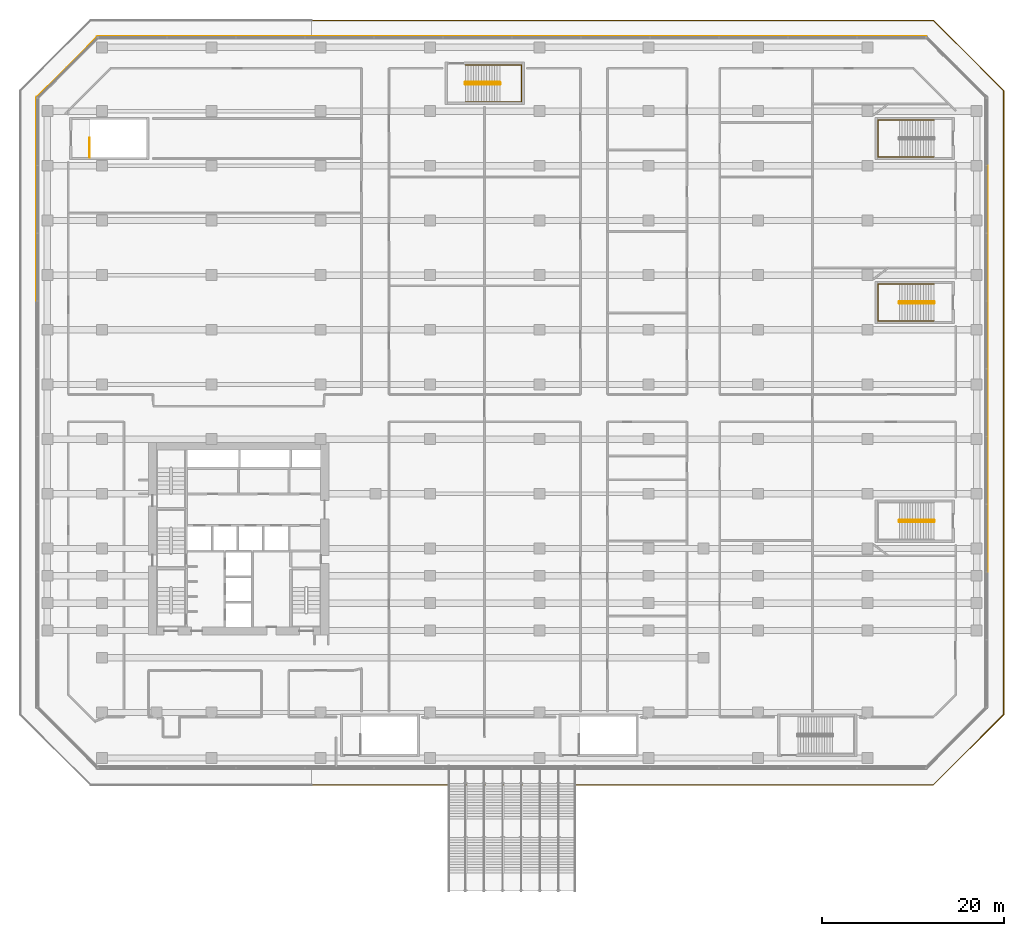
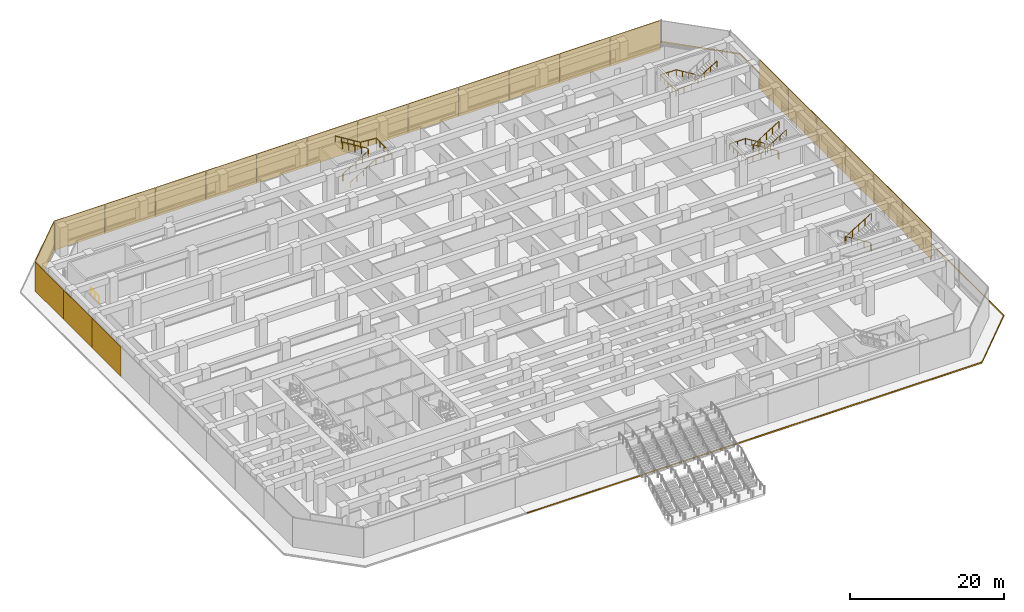
# One storey, part 39 of 40: 23 coverings, 7 railings.
"""IFC4 building model written with IfcOpenShell, lengths in metres."""

from ifc_helpers import new_model, si_unit, direction, frame, origin, origin_2d, place, context, subcontext, project, spatial, polyline, rectangle, circle, outline, extrude, material, layer, layer_set, type_object, element, save


model = new_model("IFC4")

# Units and contexts
model_context = context("Model", 3, precision=1e-05, world=origin(), true_north=direction((0.0, 1.0)))
body_context = subcontext(model_context, "Body", "Model", "MODEL_VIEW")
ifc_project = project(units=[si_unit("LENGTHUNIT", "METRE"), si_unit("AREAUNIT", "SQUARE_METRE"), si_unit("VOLUMEUNIT", "CUBIC_METRE"), si_unit("PLANEANGLEUNIT", "RADIAN"), si_unit("MASSUNIT", "GRAM", prefix="KILO")], contexts=[model_context])

# Site, building, storey
site_placement = place(None, origin())
site = spatial("IfcSite", under=ifc_project, at=site_placement, CompositionType="ELEMENT")
building_placement = place(site_placement, origin())
building = spatial("IfcBuilding", under=site, at=building_placement, Name="Welwitschia Terrace Campus", CompositionType="ELEMENT")
storey_placement = place(building_placement, frame((0.0, 0.0, 6.0)))
storey = spatial("IfcBuildingStorey", under=building, at=storey_placement, Name="L01", CompositionType="ELEMENT", Elevation=6.0)

# Coverings
ifc_material_1 = material(Name="Bronze mesh aluminium screen", Category="aluminium")
ifc_layer_1 = layer(ifc_material_1, 0.06005859375)
ifc_layer_set_1 = layer_set([ifc_layer_1], Name="Bronze mesh aluminium screen")
covering_type_1 = type_object("IfcCoveringType", Name="Bronze screen 60", PredefinedType="USERDEFINED", material=ifc_layer_set_1)
for number, where, z_axis, x_axis, name in (
    (1, (97.18994140625, 15.133544921875, 0.0), (0.0, 0.0, 1.0), (0.0, 1.0, 0.0), "Screen L01.2.2"),
    (2, (97.18994140625, 22.56689453125, 0.0), (0.0, 0.0, 1.0), (0.0, 1.0, 0.0), "Screen L01.2.3"),
    (3, (97.18994140625, 30.0, 0.0), (0.0, 0.0, 1.0), (0.0, 1.0, 0.0), "Screen L01.2.4"),
    (4, (97.18994140625, 37.43310546875, 0.0), (0.0, 0.0, 1.0), (0.0, 1.0, 0.0), "Screen L01.2.5"),
    (5, (97.18994140625, 44.866455078125, 0.0), (0.0, 0.0, 1.0), (0.0, 1.0, 0.0), "Screen L01.2.6"),
    (6, (97.18994140625, 52.299560546875, 0.0), (0.0, 0.0, 1.0), (0.0, 1.0, 0.0), "Screen L01.2.7"),
):
    element("IfcCovering", number, at=place(storey_placement, frame(where, z_axis=z_axis, x_axis=x_axis)), inside=storey, type_object=covering_type_1, Name=name, ObjectType="SCREEN", PredefinedType="USERDEFINED", context=body_context, shape_type="SweptSolid", body=[
        extrude(rectangle(XDim=7.4130859375, YDim=0.06005859375, at=origin_2d()), origin(), (0.0, 0.0, 1.0), 4.64990234375),
    ])
for number, where, z_axis, x_axis, name in (
    (7, (86.662109375, 70.18994140625, 0.0), (0.0, 0.0, 1.0), (-1.0, 0.0, 0.0), "Screen L01.4.0"),
    (8, (79.087158203125, 70.18994140625, 0.0), (0.0, 0.0, 1.0), (-1.0, 0.0, 0.0), "Screen L01.4.1"),
    (9, (71.51220703125, 70.18994140625, 0.0), (0.0, 0.0, 1.0), (-1.0, 0.0, 0.0), "Screen L01.4.2"),
    (10, (63.937255859375, 70.18994140625, 0.0), (0.0, 0.0, 1.0), (-1.0, 0.0, 0.0), "Screen L01.4.3"),
    (11, (56.3623046875, 70.18994140625, 0.0), (0.0, 0.0, 1.0), (-1.0, 0.0, 0.0), "Screen L01.4.4"),
    (12, (48.78759765625, 70.18994140625, 0.0), (0.0, 0.0, 1.0), (-1.0, 0.0, 0.0), "Screen L01.4.5"),
    (13, (41.21240234375, 70.18994140625, 0.0), (0.0, 0.0, 1.0), (-1.0, 0.0, 0.0), "Screen L01.4.6"),
    (14, (33.6376953125, 70.18994140625, 0.0), (0.0, 0.0, 1.0), (-1.0, 0.0, 0.0), "Screen L01.4.7"),
    (15, (26.062744140625, 70.18994140625, 0.0), (0.0, 0.0, 1.0), (-1.0, 0.0, 0.0), "Screen L01.4.8"),
    (16, (18.48779296875, 70.18994140625, 0.0), (0.0, 0.0, 1.0), (-1.0, 0.0, 0.0), "Screen L01.4.9"),
    (17, (10.912841796875, 70.18994140625, 0.0), (0.0, 0.0, 1.0), (-1.0, 0.0, 0.0), "Screen L01.4.10"),
    (18, (3.337890625, 70.18994140625, 0.0), (0.0, 0.0, 1.0), (-1.0, 0.0, 0.0), "Screen L01.4.11"),
):
    element("IfcCovering", number, at=place(storey_placement, frame(where, z_axis=z_axis, x_axis=x_axis)), inside=storey, type_object=covering_type_1, Name=name, ObjectType="SCREEN", PredefinedType="USERDEFINED", context=body_context, shape_type="SweptSolid", body=[
        extrude(rectangle(XDim=7.554931640625, YDim=0.06005859375, at=origin_2d()), origin(), (0.0, 0.0, 1.0), 4.64990234375),
    ])
covering_1_placement = place(storey_placement, frame((-3.841552734375, 66.841552734375, 0.0), z_axis=(0.0, 0.0, 1.0), x_axis=(-0.707106781187, -0.707106781187, 0.0)))
element("IfcCovering", 19, at=covering_1_placement, inside=storey, type_object=covering_type_1, Name="Screen L01.5.0", ObjectType="SCREEN", PredefinedType="USERDEFINED", context=body_context, shape_type="SweptSolid", body=[
    extrude(rectangle(XDim=9.364013671875, YDim=0.06005859375, at=origin_2d()), origin(), (0.0, 0.0, 1.0), 4.64990234375),
])
for number, where, z_axis, x_axis, name in (
    (20, (-7.18994140625, 59.73291015625, 0.0), (0.0, 0.0, 1.0), (0.0, -1.0, 0.0), "Screen L01.6.0"),
    (21, (-7.18994140625, 52.299560546875, 0.0), (0.0, 0.0, 1.0), (0.0, -1.0, 0.0), "Screen L01.6.1"),
    (22, (-7.18994140625, 44.866455078125, 0.0), (0.0, 0.0, 1.0), (0.0, -1.0, 0.0), "Screen L01.6.2"),
):
    element("IfcCovering", number, at=place(storey_placement, frame(where, z_axis=z_axis, x_axis=x_axis)), inside=storey, type_object=covering_type_1, Name=name, ObjectType="SCREEN", PredefinedType="USERDEFINED", context=body_context, shape_type="SweptSolid", body=[
        extrude(rectangle(XDim=7.4130859375, YDim=0.06005859375, at=origin_2d()), origin(), (0.0, 0.0, 1.0), 4.64990234375),
    ])

# Railings
ifc_material_2 = material(Name="Steel S355", Category="steel")
railing_type_1 = type_object("IfcRailingType", Name="Stair guard 1100", PredefinedType="GUARDRAIL", material=ifc_material_2)
railing_1_placement = place(storey_placement, frame((-1.35009765625, 56.925048828125, 0.0)))
element("IfcRailing", 23, at=railing_1_placement, inside=storey, type_object=railing_type_1, Name="L01 P4 top well guard 1", PredefinedType="GUARDRAIL", context=body_context, shape_type="SweptSolid", body=[
    extrude(circle(Radius=0.02392578125, at=origin_2d()), frame((0.0, 0.0, 1.076171875), z_axis=(0.0, 1.0, 0.0), x_axis=(-1.0, 0.0, 0.0)), (0.0, 0.0, 1.0), 2.14990234375),
    extrude(circle(Radius=0.02099609375, at=origin_2d()), origin(), (0.0, 0.0, 1.0), 1.052001953125),
    extrude(circle(Radius=0.02099609375, at=origin_2d()), frame((0.0, 1.074951171875, 0.0)), (0.0, 0.0, 1.0), 1.052001953125),
    extrude(circle(Radius=0.02099609375, at=origin_2d()), frame((0.0, 2.14990234375, 0.0)), (0.0, 0.0, 1.0), 1.052001953125),
])
railing_2_placement = place(storey_placement, frame((91.35009765625, 16.925048828125, 0.0)))
element("IfcRailing", 24, at=railing_2_placement, inside=storey, type_object=railing_type_1, Name="L01 P6 stair guard", PredefinedType="GUARDRAIL", context=body_context, shape_type="SweptSolid", body=[
    extrude(circle(Radius=0.02392578125, at=origin_2d()), frame((0.0, 0.0, 1.076171875), z_axis=(0.0, 1.0, 0.0), x_axis=(-1.0, 0.0, 0.0)), (0.0, 0.0, 1.0), 0.14990234375),
    extrude(circle(Radius=0.02392578125, at=origin_2d()), frame((0.0, 0.14990234375, 1.076171875), z_axis=(-0.260684529273, 0.260684529273, 0.929562882432), x_axis=(-0.707106781187, -0.707106781187, 0.0)), (0.0, 0.0, 1.0), 0.19189453125),
    extrude(circle(Radius=0.02392578125, at=origin_2d()), frame((-0.050048828125, 0.199951171875, 1.25439453125), z_axis=(-0.851504923564, 0.0, 0.524346607834), x_axis=(0.0, -1.0, 0.0)), (0.0, 0.0, 1.0), 4.427490234375),
    extrude(circle(Radius=0.02392578125, at=origin_2d()), frame((-3.820068359375, 0.199951171875, 3.576171875), z_axis=(-0.707106781187, -0.707106781187, 0.0), x_axis=(0.707106781187, -0.707106781187, 0.0)), (0.0, 0.0, 1.0), 0.07080078125),
    extrude(circle(Radius=0.02392578125, at=origin_2d()), frame((-3.8701171875, 0.14990234375, 3.576171875), z_axis=(0.0, -1.0, 0.0), x_axis=(1.0, 0.0, 0.0)), (0.0, 0.0, 1.0), 0.14990234375),
    extrude(circle(Radius=0.02392578125, at=origin_2d()), frame((-3.8701171875, 0.0, 3.576171875), z_axis=(0.260684529273, -0.260684529273, 0.929562882432), x_axis=(0.707106781187, 0.707106781187, 0.0)), (0.0, 0.0, 1.0), 0.19189453125),
    extrude(circle(Radius=0.02392578125, at=origin_2d()), frame((-3.820068359375, -0.050048828125, 3.75439453125), z_axis=(0.851504923564, 0.0, 0.524346607834), x_axis=(0.0, 1.0, 0.0)), (0.0, 0.0, 1.0), 4.427490234375),
    extrude(circle(Radius=0.02099609375, at=origin_2d()), origin(), (0.0, 0.0, 1.0), 1.052001953125),
    extrude(circle(Radius=0.02099609375, at=origin_2d()), frame((0.0, 0.14990234375, 0.0)), (0.0, 0.0, 1.0), 1.052001953125),
    extrude(circle(Radius=0.02099609375, at=origin_2d()), frame((-0.050048828125, 0.199951171875, 0.178466796875)), (0.0, 0.0, 1.0), 1.052001953125),
    extrude(circle(Radius=0.02099609375, at=origin_2d()), frame((-0.99267578125, 0.199951171875, 0.7587890625)), (0.0, 0.0, 1.0), 1.052001953125),
    extrude(circle(Radius=0.02099609375, at=origin_2d()), frame((-1.93505859375, 0.199951171875, 1.33935546875)), (0.0, 0.0, 1.0), 1.052001953125),
    extrude(circle(Radius=0.02099609375, at=origin_2d()), frame((-2.87744140625, 0.199951171875, 1.919677734375)), (0.0, 0.0, 1.0), 1.052001953125),
    extrude(circle(Radius=0.02099609375, at=origin_2d()), frame((-3.820068359375, 0.199951171875, 2.5)), (0.0, 0.0, 1.0), 1.052001953125),
    extrude(circle(Radius=0.02099609375, at=origin_2d()), frame((-3.8701171875, 0.14990234375, 2.5)), (0.0, 0.0, 1.0), 1.052001953125),
    extrude(circle(Radius=0.02099609375, at=origin_2d()), frame((-3.8701171875, 0.0, 2.5)), (0.0, 0.0, 1.0), 1.052001953125),
    extrude(circle(Radius=0.02099609375, at=origin_2d()), frame((-3.820068359375, -0.050048828125, 2.678466796875)), (0.0, 0.0, 1.0), 1.052001953125),
    extrude(circle(Radius=0.02099609375, at=origin_2d()), frame((-2.87744140625, -0.050048828125, 3.2587890625)), (0.0, 0.0, 1.0), 1.052001953125),
    extrude(circle(Radius=0.02099609375, at=origin_2d()), frame((-1.93505859375, -0.050048828125, 3.83935546875)), (0.0, 0.0, 1.0), 1.052001953125),
    extrude(circle(Radius=0.02099609375, at=origin_2d()), frame((-0.99267578125, -0.050048828125, 4.419677734375)), (0.0, 0.0, 1.0), 1.052001953125),
    extrude(circle(Radius=0.02099609375, at=origin_2d()), frame((-0.050048828125, -0.050048828125, 5.0)), (0.0, 0.0, 1.0), 1.052001953125),
])
railing_3_placement = place(storey_placement, frame((39.85009765625, 65.125, 0.0)))
element("IfcRailing", 25, at=railing_3_placement, inside=storey, type_object=railing_type_1, Name="L01 P7 stair guard", PredefinedType="GUARDRAIL", context=body_context, shape_type="SweptSolid", body=[
    extrude(circle(Radius=0.02392578125, at=origin_2d()), frame((0.0, 0.0, 1.076171875), z_axis=(0.0, -1.0, 0.0), x_axis=(1.0, 0.0, 0.0)), (0.0, 0.0, 1.0), 0.14990234375),
    extrude(circle(Radius=0.02392578125, at=origin_2d()), frame((0.0, -0.14990234375, 1.076171875), z_axis=(0.25949872427, -0.26077077684, 0.929870428634), x_axis=(0.708833529934, 0.705375805398, 0.0)), (0.0, 0.0, 1.0), 0.19189453125),
    extrude(circle(Radius=0.02392578125, at=origin_2d()), frame((0.0498046875, -0.199951171875, 1.25439453125), z_axis=(0.851504923564, 0.0, 0.524346607834), x_axis=(0.0, 1.0, 0.0)), (0.0, 0.0, 1.0), 4.427490234375),
    extrude(circle(Radius=0.02392578125, at=origin_2d()), frame((3.81982421875, -0.199951171875, 3.576171875), z_axis=(0.707106781187, 0.707106781187, 0.0), x_axis=(-0.707106781187, 0.707106781187, 0.0)), (0.0, 0.0, 1.0), 0.07080078125),
    extrude(circle(Radius=0.02392578125, at=origin_2d()), frame((3.869873046875, -0.14990234375, 3.576171875), z_axis=(0.0, 1.0, 0.0), x_axis=(-1.0, 0.0, 0.0)), (0.0, 0.0, 1.0), 0.14990234375),
    extrude(circle(Radius=0.02392578125, at=origin_2d()), frame((3.869873046875, 0.0, 3.576171875), z_axis=(-0.260684529273, 0.260684529273, 0.929562882432), x_axis=(-0.707106781187, -0.707106781187, 0.0)), (0.0, 0.0, 1.0), 0.19189453125),
    extrude(circle(Radius=0.02392578125, at=origin_2d()), frame((3.81982421875, 0.050048828125, 3.75439453125), z_axis=(-0.851504923564, 0.0, 0.524346607834), x_axis=(0.0, -1.0, 0.0)), (0.0, 0.0, 1.0), 4.427490234375),
    extrude(circle(Radius=0.02099609375, at=origin_2d()), origin(), (0.0, 0.0, 1.0), 1.052001953125),
    extrude(circle(Radius=0.02099609375, at=origin_2d()), frame((0.0, -0.14990234375, 0.0)), (0.0, 0.0, 1.0), 1.052001953125),
    extrude(circle(Radius=0.02099609375, at=origin_2d()), frame((0.0498046875, -0.199951171875, 0.178466796875)), (0.0, 0.0, 1.0), 1.052001953125),
    extrude(circle(Radius=0.02099609375, at=origin_2d()), frame((0.9921875, -0.199951171875, 0.7587890625)), (0.0, 0.0, 1.0), 1.052001953125),
    extrude(circle(Radius=0.02099609375, at=origin_2d()), frame((1.934814453125, -0.199951171875, 1.33935546875)), (0.0, 0.0, 1.0), 1.052001953125),
    extrude(circle(Radius=0.02099609375, at=origin_2d()), frame((2.87744140625, -0.199951171875, 1.919677734375)), (0.0, 0.0, 1.0), 1.052001953125),
    extrude(circle(Radius=0.02099609375, at=origin_2d()), frame((3.81982421875, -0.199951171875, 2.5)), (0.0, 0.0, 1.0), 1.052001953125),
    extrude(circle(Radius=0.02099609375, at=origin_2d()), frame((3.869873046875, -0.14990234375, 2.5)), (0.0, 0.0, 1.0), 1.052001953125),
    extrude(circle(Radius=0.02099609375, at=origin_2d()), frame((3.869873046875, 0.0, 2.5)), (0.0, 0.0, 1.0), 1.052001953125),
    extrude(circle(Radius=0.02099609375, at=origin_2d()), frame((3.81982421875, 0.050048828125, 2.678466796875)), (0.0, 0.0, 1.0), 1.052001953125),
    extrude(circle(Radius=0.02099609375, at=origin_2d()), frame((2.87744140625, 0.050048828125, 3.2587890625)), (0.0, 0.0, 1.0), 1.052001953125),
    extrude(circle(Radius=0.02099609375, at=origin_2d()), frame((1.934814453125, 0.050048828125, 3.83935546875)), (0.0, 0.0, 1.0), 1.052001953125),
    extrude(circle(Radius=0.02099609375, at=origin_2d()), frame((0.9921875, 0.050048828125, 4.419677734375)), (0.0, 0.0, 1.0), 1.052001953125),
    extrude(circle(Radius=0.02099609375, at=origin_2d()), frame((0.0498046875, 0.050048828125, 5.0)), (0.0, 0.0, 1.0), 1.052001953125),
])
railing_4_placement = place(storey_placement, frame((91.35009765625, 40.925048828125, 0.0)))
element("IfcRailing", 26, at=railing_4_placement, inside=storey, type_object=railing_type_1, Name="L01 P8 stair guard", PredefinedType="GUARDRAIL", context=body_context, shape_type="SweptSolid", body=[
    extrude(circle(Radius=0.02392578125, at=origin_2d()), frame((0.0, 0.0, 1.076171875), z_axis=(0.0, 1.0, 0.0), x_axis=(-1.0, 0.0, 0.0)), (0.0, 0.0, 1.0), 0.14990234375),
    extrude(circle(Radius=0.02392578125, at=origin_2d()), frame((0.0, 0.14990234375, 1.076171875), z_axis=(-0.260684529273, 0.260684529273, 0.929562882432), x_axis=(-0.707106781187, -0.707106781187, 0.0)), (0.0, 0.0, 1.0), 0.19189453125),
    extrude(circle(Radius=0.02392578125, at=origin_2d()), frame((-0.050048828125, 0.199951171875, 1.25439453125), z_axis=(-0.851504923564, 0.0, 0.524346607834), x_axis=(0.0, -1.0, 0.0)), (0.0, 0.0, 1.0), 4.427490234375),
    extrude(circle(Radius=0.02392578125, at=origin_2d()), frame((-3.820068359375, 0.199951171875, 3.576171875), z_axis=(-0.707106781187, -0.707106781187, 0.0), x_axis=(0.707106781187, -0.707106781187, 0.0)), (0.0, 0.0, 1.0), 0.07080078125),
    extrude(circle(Radius=0.02392578125, at=origin_2d()), frame((-3.8701171875, 0.14990234375, 3.576171875), z_axis=(0.0, -1.0, 0.0), x_axis=(1.0, 0.0, 0.0)), (0.0, 0.0, 1.0), 0.14990234375),
    extrude(circle(Radius=0.02392578125, at=origin_2d()), frame((-3.8701171875, 0.0, 3.576171875), z_axis=(0.260684529273, -0.260684529273, 0.929562882432), x_axis=(0.707106781187, 0.707106781187, 0.0)), (0.0, 0.0, 1.0), 0.19189453125),
    extrude(circle(Radius=0.02392578125, at=origin_2d()), frame((-3.820068359375, -0.050048828125, 3.75439453125), z_axis=(0.851504923564, 0.0, 0.524346607834), x_axis=(0.0, 1.0, 0.0)), (0.0, 0.0, 1.0), 4.427490234375),
    extrude(circle(Radius=0.02099609375, at=origin_2d()), origin(), (0.0, 0.0, 1.0), 1.052001953125),
    extrude(circle(Radius=0.02099609375, at=origin_2d()), frame((0.0, 0.14990234375, 0.0)), (0.0, 0.0, 1.0), 1.052001953125),
    extrude(circle(Radius=0.02099609375, at=origin_2d()), frame((-0.050048828125, 0.199951171875, 0.178466796875)), (0.0, 0.0, 1.0), 1.052001953125),
    extrude(circle(Radius=0.02099609375, at=origin_2d()), frame((-0.99267578125, 0.199951171875, 0.7587890625)), (0.0, 0.0, 1.0), 1.052001953125),
    extrude(circle(Radius=0.02099609375, at=origin_2d()), frame((-1.93505859375, 0.199951171875, 1.33935546875)), (0.0, 0.0, 1.0), 1.052001953125),
    extrude(circle(Radius=0.02099609375, at=origin_2d()), frame((-2.87744140625, 0.199951171875, 1.919677734375)), (0.0, 0.0, 1.0), 1.052001953125),
    extrude(circle(Radius=0.02099609375, at=origin_2d()), frame((-3.820068359375, 0.199951171875, 2.5)), (0.0, 0.0, 1.0), 1.052001953125),
    extrude(circle(Radius=0.02099609375, at=origin_2d()), frame((-3.8701171875, 0.14990234375, 2.5)), (0.0, 0.0, 1.0), 1.052001953125),
    extrude(circle(Radius=0.02099609375, at=origin_2d()), frame((-3.8701171875, 0.0, 2.5)), (0.0, 0.0, 1.0), 1.052001953125),
    extrude(circle(Radius=0.02099609375, at=origin_2d()), frame((-3.820068359375, -0.050048828125, 2.678466796875)), (0.0, 0.0, 1.0), 1.052001953125),
    extrude(circle(Radius=0.02099609375, at=origin_2d()), frame((-2.87744140625, -0.050048828125, 3.2587890625)), (0.0, 0.0, 1.0), 1.052001953125),
    extrude(circle(Radius=0.02099609375, at=origin_2d()), frame((-1.93505859375, -0.050048828125, 3.83935546875)), (0.0, 0.0, 1.0), 1.052001953125),
    extrude(circle(Radius=0.02099609375, at=origin_2d()), frame((-0.99267578125, -0.050048828125, 4.419677734375)), (0.0, 0.0, 1.0), 1.052001953125),
    extrude(circle(Radius=0.02099609375, at=origin_2d()), frame((-0.050048828125, -0.050048828125, 5.0)), (0.0, 0.0, 1.0), 1.052001953125),
])
ifc_material_3 = material(Name="Steel S355", Category="steel")
railing_type_2 = type_object("IfcRailingType", Name="Stair handrail 900", PredefinedType="HANDRAIL", material=ifc_material_3)
railing_5_placement = place(storey_placement, frame((91.300048828125, 61.02490234375, 0.178466796875)))
element("IfcRailing", 27, at=railing_5_placement, inside=storey, type_object=railing_type_2, Name="L01 P3 stair handrail", PredefinedType="HANDRAIL", context=body_context, shape_type="SweptSolid", body=[
    extrude(circle(Radius=0.02392578125, at=origin_2d()), frame((0.0, 0.0, 0.8759765625), z_axis=(-0.851504923564, 0.0, 0.524346607834), x_axis=(0.0, -1.0, 0.0)), (0.0, 0.0, 1.0), 4.427490234375),
    extrude(circle(Radius=0.02392578125, at=origin_2d()), frame((-3.77001953125, 0.0, 3.197265625), z_axis=(-1.0, 0.0, 0.0), x_axis=(0.0, -1.0, 0.0)), (0.0, 0.0, 1.0), 2.380126953125),
    extrude(circle(Radius=0.02392578125, at=origin_2d()), frame((-6.150146484375, 0.0, 3.197265625), z_axis=(0.0, -1.0, 0.0), x_axis=(1.0, 0.0, 0.0)), (0.0, 0.0, 1.0), 4.0498046875),
    extrude(circle(Radius=0.02392578125, at=origin_2d()), frame((-6.150146484375, -4.0498046875, 3.197265625), z_axis=(0.997200644743, 0.0, 0.074772148047), x_axis=(0.0, 1.0, 0.0)), (0.0, 0.0, 1.0), 2.38671875),
    extrude(circle(Radius=0.02392578125, at=origin_2d()), frame((-3.77001953125, -4.0498046875, 3.3759765625), z_axis=(0.851504923564, 0.0, 0.524346607834), x_axis=(0.0, 1.0, 0.0)), (0.0, 0.0, 1.0), 4.427490234375),
    extrude(circle(Radius=0.02099609375, at=origin_2d()), origin(), (0.0, 0.0, 1.0), 0.851806640625),
    extrude(circle(Radius=0.02099609375, at=origin_2d()), frame((-0.9423828125, 0.0, 0.580322265625)), (0.0, 0.0, 1.0), 0.851806640625),
    extrude(circle(Radius=0.02099609375, at=origin_2d()), frame((-1.885009765625, 0.0, 1.16064453125)), (0.0, 0.0, 1.0), 0.851806640625),
    extrude(circle(Radius=0.02099609375, at=origin_2d()), frame((-2.82763671875, 0.0, 1.7412109375)), (0.0, 0.0, 1.0), 0.851806640625),
    extrude(circle(Radius=0.02099609375, at=origin_2d()), frame((-3.77001953125, 0.0, 2.321533203125)), (0.0, 0.0, 1.0), 0.851806640625),
    extrude(circle(Radius=0.02099609375, at=origin_2d()), frame((-4.9599609375, 0.0, 2.321533203125)), (0.0, 0.0, 1.0), 0.851806640625),
    extrude(circle(Radius=0.02099609375, at=origin_2d()), frame((-6.150146484375, 0.0, 2.321533203125)), (0.0, 0.0, 1.0), 0.851806640625),
    extrude(circle(Radius=0.02099609375, at=origin_2d()), frame((-6.150146484375, -1.012451171875, 2.321533203125)), (0.0, 0.0, 1.0), 0.851806640625),
    extrude(circle(Radius=0.02099609375, at=origin_2d()), frame((-6.150146484375, -2.02490234375, 2.321533203125)), (0.0, 0.0, 1.0), 0.851806640625),
    extrude(circle(Radius=0.02099609375, at=origin_2d()), frame((-6.150146484375, -3.037353515625, 2.321533203125)), (0.0, 0.0, 1.0), 0.851806640625),
    extrude(circle(Radius=0.02099609375, at=origin_2d()), frame((-6.150146484375, -4.0498046875, 2.321533203125)), (0.0, 0.0, 1.0), 0.851806640625),
    extrude(circle(Radius=0.02099609375, at=origin_2d()), frame((-4.9599609375, -4.0498046875, 2.41064453125)), (0.0, 0.0, 1.0), 0.851806640625),
    extrude(circle(Radius=0.02099609375, at=origin_2d()), frame((-3.77001953125, -4.0498046875, 2.5)), (0.0, 0.0, 1.0), 0.851806640625),
    extrude(circle(Radius=0.02099609375, at=origin_2d()), frame((-2.82763671875, -4.0498046875, 3.080322265625)), (0.0, 0.0, 1.0), 0.851806640625),
    extrude(circle(Radius=0.02099609375, at=origin_2d()), frame((-1.885009765625, -4.0498046875, 3.66064453125)), (0.0, 0.0, 1.0), 0.851806640625),
    extrude(circle(Radius=0.02099609375, at=origin_2d()), frame((-0.9423828125, -4.0498046875, 4.2412109375)), (0.0, 0.0, 1.0), 0.851806640625),
    extrude(circle(Radius=0.02099609375, at=origin_2d()), frame((0.0, -4.0498046875, 4.821533203125)), (0.0, 0.0, 1.0), 0.851806640625),
])
railing_6_placement = place(storey_placement, frame((39.89990234375, 63.02490234375, 0.178466796875)))
element("IfcRailing", 28, at=railing_6_placement, inside=storey, type_object=railing_type_2, Name="L01 P7 stair handrail", PredefinedType="HANDRAIL", context=body_context, shape_type="SweptSolid", body=[
    extrude(circle(Radius=0.02392578125, at=origin_2d()), frame((0.0, 0.0, 0.8759765625), z_axis=(0.851504923564, 0.0, 0.524346607834), x_axis=(0.0, 1.0, 0.0)), (0.0, 0.0, 1.0), 4.427490234375),
    extrude(circle(Radius=0.02392578125, at=origin_2d()), frame((3.77001953125, 0.0, 3.197265625), z_axis=(1.0, 0.0, 0.0), x_axis=(0.0, 1.0, 0.0)), (0.0, 0.0, 1.0), 2.380126953125),
    extrude(circle(Radius=0.02392578125, at=origin_2d()), frame((6.150146484375, 0.0, 3.197265625), z_axis=(0.0, 1.0, 0.0), x_axis=(-1.0, 0.0, 0.0)), (0.0, 0.0, 1.0), 4.050048828125),
    extrude(circle(Radius=0.02392578125, at=origin_2d()), frame((6.150146484375, 4.050048828125, 3.197265625), z_axis=(-0.997200644743, 0.0, 0.074772148047), x_axis=(0.0, -1.0, 0.0)), (0.0, 0.0, 1.0), 2.38671875),
    extrude(circle(Radius=0.02392578125, at=origin_2d()), frame((3.77001953125, 4.050048828125, 3.3759765625), z_axis=(-0.851504923564, 0.0, 0.524346607834), x_axis=(0.0, -1.0, 0.0)), (0.0, 0.0, 1.0), 4.427490234375),
    extrude(circle(Radius=0.02099609375, at=origin_2d()), origin(), (0.0, 0.0, 1.0), 0.851806640625),
    extrude(circle(Radius=0.02099609375, at=origin_2d()), frame((0.9423828125, 0.0, 0.580322265625)), (0.0, 0.0, 1.0), 0.851806640625),
    extrude(circle(Radius=0.02099609375, at=origin_2d()), frame((1.885009765625, 0.0, 1.16064453125)), (0.0, 0.0, 1.0), 0.851806640625),
    extrude(circle(Radius=0.02099609375, at=origin_2d()), frame((2.82763671875, 0.0, 1.7412109375)), (0.0, 0.0, 1.0), 0.851806640625),
    extrude(circle(Radius=0.02099609375, at=origin_2d()), frame((3.77001953125, 0.0, 2.321533203125)), (0.0, 0.0, 1.0), 0.851806640625),
    extrude(circle(Radius=0.02099609375, at=origin_2d()), frame((4.9599609375, 0.0, 2.321533203125)), (0.0, 0.0, 1.0), 0.851806640625),
    extrude(circle(Radius=0.02099609375, at=origin_2d()), frame((6.150146484375, 0.0, 2.321533203125)), (0.0, 0.0, 1.0), 0.851806640625),
    extrude(circle(Radius=0.02099609375, at=origin_2d()), frame((6.150146484375, 1.012451171875, 2.321533203125)), (0.0, 0.0, 1.0), 0.851806640625),
    extrude(circle(Radius=0.02099609375, at=origin_2d()), frame((6.150146484375, 2.02490234375, 2.321533203125)), (0.0, 0.0, 1.0), 0.851806640625),
    extrude(circle(Radius=0.02099609375, at=origin_2d()), frame((6.150146484375, 3.03759765625, 2.321533203125)), (0.0, 0.0, 1.0), 0.851806640625),
    extrude(circle(Radius=0.02099609375, at=origin_2d()), frame((6.150146484375, 4.050048828125, 2.321533203125)), (0.0, 0.0, 1.0), 0.851806640625),
    extrude(circle(Radius=0.02099609375, at=origin_2d()), frame((4.9599609375, 4.050048828125, 2.41064453125)), (0.0, 0.0, 1.0), 0.851806640625),
    extrude(circle(Radius=0.02099609375, at=origin_2d()), frame((3.77001953125, 4.050048828125, 2.5)), (0.0, 0.0, 1.0), 0.851806640625),
    extrude(circle(Radius=0.02099609375, at=origin_2d()), frame((2.82763671875, 4.050048828125, 3.080322265625)), (0.0, 0.0, 1.0), 0.851806640625),
    extrude(circle(Radius=0.02099609375, at=origin_2d()), frame((1.885009765625, 4.050048828125, 3.66064453125)), (0.0, 0.0, 1.0), 0.851806640625),
    extrude(circle(Radius=0.02099609375, at=origin_2d()), frame((0.9423828125, 4.050048828125, 4.2412109375)), (0.0, 0.0, 1.0), 0.851806640625),
    extrude(circle(Radius=0.02099609375, at=origin_2d()), frame((0.0, 4.050048828125, 4.821533203125)), (0.0, 0.0, 1.0), 0.851806640625),
])
railing_7_placement = place(storey_placement, frame((91.300048828125, 43.02490234375, 0.178466796875)))
element("IfcRailing", 29, at=railing_7_placement, inside=storey, type_object=railing_type_2, Name="L01 P8 stair handrail", PredefinedType="HANDRAIL", context=body_context, shape_type="SweptSolid", body=[
    extrude(circle(Radius=0.02392578125, at=origin_2d()), frame((0.0, 0.0, 0.8759765625), z_axis=(-0.851504923564, 0.0, 0.524346607834), x_axis=(0.0, -1.0, 0.0)), (0.0, 0.0, 1.0), 4.427490234375),
    extrude(circle(Radius=0.02392578125, at=origin_2d()), frame((-3.77001953125, 0.0, 3.197265625), z_axis=(-1.0, 0.0, 0.0), x_axis=(0.0, -1.0, 0.0)), (0.0, 0.0, 1.0), 2.380126953125),
    extrude(circle(Radius=0.02392578125, at=origin_2d()), frame((-6.150146484375, 0.0, 3.197265625), z_axis=(0.0, -1.0, 0.0), x_axis=(1.0, 0.0, 0.0)), (0.0, 0.0, 1.0), 4.0498046875),
    extrude(circle(Radius=0.02392578125, at=origin_2d()), frame((-6.150146484375, -4.0498046875, 3.197265625), z_axis=(0.997200644743, 0.0, 0.074772148047), x_axis=(0.0, 1.0, 0.0)), (0.0, 0.0, 1.0), 2.38671875),
    extrude(circle(Radius=0.02392578125, at=origin_2d()), frame((-3.77001953125, -4.0498046875, 3.3759765625), z_axis=(0.851504923564, 0.0, 0.524346607834), x_axis=(0.0, 1.0, 0.0)), (0.0, 0.0, 1.0), 4.427490234375),
    extrude(circle(Radius=0.02099609375, at=origin_2d()), origin(), (0.0, 0.0, 1.0), 0.851806640625),
    extrude(circle(Radius=0.02099609375, at=origin_2d()), frame((-0.9423828125, 0.0, 0.580322265625)), (0.0, 0.0, 1.0), 0.851806640625),
    extrude(circle(Radius=0.02099609375, at=origin_2d()), frame((-1.885009765625, 0.0, 1.16064453125)), (0.0, 0.0, 1.0), 0.851806640625),
    extrude(circle(Radius=0.02099609375, at=origin_2d()), frame((-2.82763671875, 0.0, 1.7412109375)), (0.0, 0.0, 1.0), 0.851806640625),
    extrude(circle(Radius=0.02099609375, at=origin_2d()), frame((-3.77001953125, 0.0, 2.321533203125)), (0.0, 0.0, 1.0), 0.851806640625),
    extrude(circle(Radius=0.02099609375, at=origin_2d()), frame((-4.9599609375, 0.0, 2.321533203125)), (0.0, 0.0, 1.0), 0.851806640625),
    extrude(circle(Radius=0.02099609375, at=origin_2d()), frame((-6.150146484375, 0.0, 2.321533203125)), (0.0, 0.0, 1.0), 0.851806640625),
    extrude(circle(Radius=0.02099609375, at=origin_2d()), frame((-6.150146484375, -1.012451171875, 2.321533203125)), (0.0, 0.0, 1.0), 0.851806640625),
    extrude(circle(Radius=0.02099609375, at=origin_2d()), frame((-6.150146484375, -2.02490234375, 2.321533203125)), (0.0, 0.0, 1.0), 0.851806640625),
    extrude(circle(Radius=0.02099609375, at=origin_2d()), frame((-6.150146484375, -3.037353515625, 2.321533203125)), (0.0, 0.0, 1.0), 0.851806640625),
    extrude(circle(Radius=0.02099609375, at=origin_2d()), frame((-6.150146484375, -4.0498046875, 2.321533203125)), (0.0, 0.0, 1.0), 0.851806640625),
    extrude(circle(Radius=0.02099609375, at=origin_2d()), frame((-4.9599609375, -4.0498046875, 2.41064453125)), (0.0, 0.0, 1.0), 0.851806640625),
    extrude(circle(Radius=0.02099609375, at=origin_2d()), frame((-3.77001953125, -4.0498046875, 2.5)), (0.0, 0.0, 1.0), 0.851806640625),
    extrude(circle(Radius=0.02099609375, at=origin_2d()), frame((-2.82763671875, -4.0498046875, 3.080322265625)), (0.0, 0.0, 1.0), 0.851806640625),
    extrude(circle(Radius=0.02099609375, at=origin_2d()), frame((-1.885009765625, -4.0498046875, 3.66064453125)), (0.0, 0.0, 1.0), 0.851806640625),
    extrude(circle(Radius=0.02099609375, at=origin_2d()), frame((-0.9423828125, -4.0498046875, 4.2412109375)), (0.0, 0.0, 1.0), 0.851806640625),
    extrude(circle(Radius=0.02099609375, at=origin_2d()), frame((0.0, -4.0498046875, 4.821533203125)), (0.0, 0.0, 1.0), 0.851806640625),
])

# Covering
ifc_material_4 = material(Name="Bronze anodised aluminium", Category="aluminium")
ifc_layer_2 = layer(ifc_material_4, 0.06005859375)
ifc_layer_set_2 = layer_set([ifc_layer_2], Name="Bronze anodised aluminium")
covering_type_2 = type_object("IfcCoveringType", Name="Sunshade lip 60", PredefinedType="USERDEFINED", material=ifc_layer_set_2)
covering_2_placement = place(storey_placement, frame((0.0, 0.0, -0.1298828125)))
element("IfcCovering", 30, at=covering_2_placement, inside=storey, type_object=covering_type_2, Name="SUNSHADE LIP L01.SE0.0", ObjectType="SUNSHADE", PredefinedType="USERDEFINED", context=body_context, shape_type="SweptSolid", body=[
    extrude(outline(polyline([(99.0, 64.24267578125), (99.0, -4.24267578125), (91.24267578125, -12.0), (23.0, -12.0), (23.0, -11.93994140625), (91.2177734375, -11.93994140625), (98.93994140625, -4.2177734375), (98.93994140625, 64.2177734375), (91.2177734375, 71.93994140625), (23.0, 71.93994140625), (23.0, 72.0), (91.24267578125, 72.0), (99.0, 64.24267578125)])), origin(), (0.0, 0.0, 1.0), 0.1298828125),
])

save(model, "model.ifc")
